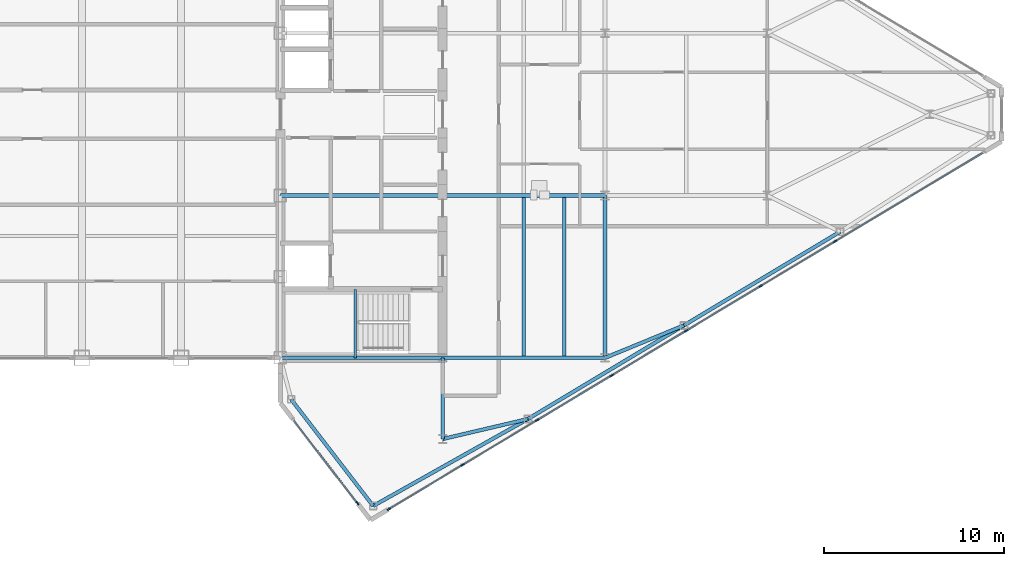
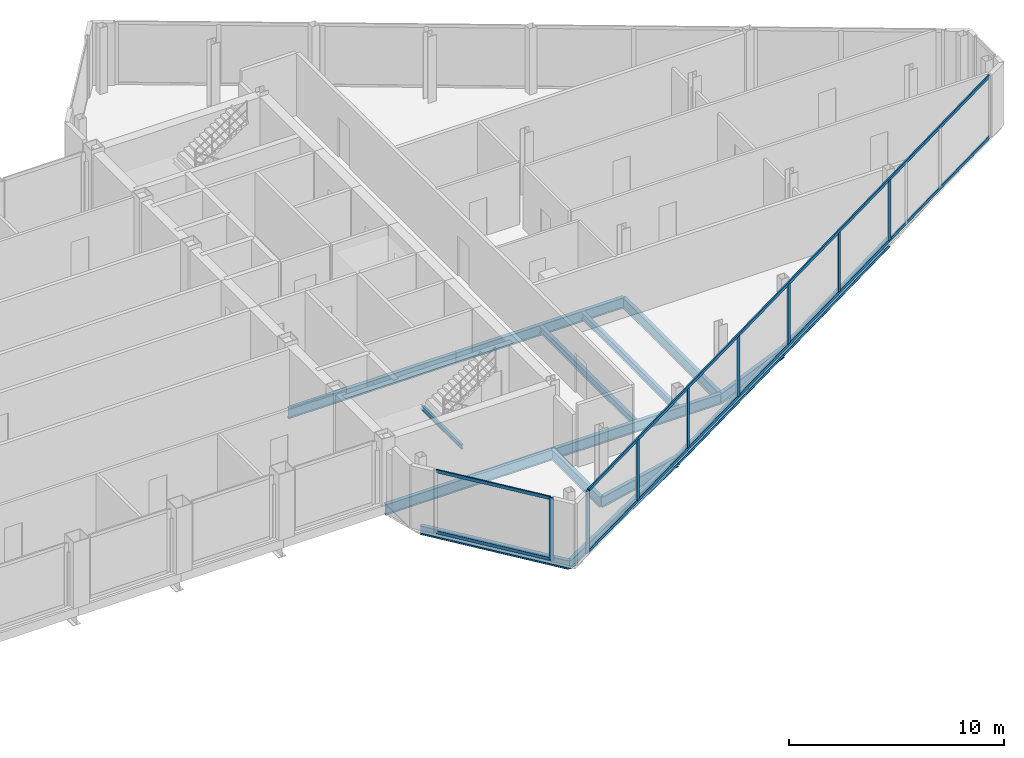
# One storey, part 14 of 29: 15 beams, 12 members, 2 elements without a shape of their own.
"""IFC4 building model written with IfcOpenShell, lengths in metres."""

from ifc_helpers import new_model, si_unit, direction, frame, origin, origin_2d, place, context, subcontext, project, spatial, rectangle, i_section, extrude, source, transform, mapped, material, layer, layer_set, material_profile, profile_set, type_object, type_shapes, element, aggregate, save


model = new_model("IFC4")

# Units and contexts
model_context = context("Model", 3, precision=1e-05, world=origin(), true_north=direction((0.0, 1.0)))
body_context = subcontext(model_context, "Body", "Model", "MODEL_VIEW")
ifc_project = project(units=[si_unit("LENGTHUNIT", "METRE"), si_unit("AREAUNIT", "SQUARE_METRE"), si_unit("VOLUMEUNIT", "CUBIC_METRE"), si_unit("PLANEANGLEUNIT", "RADIAN"), si_unit("MASSUNIT", "GRAM", prefix="KILO")], contexts=[model_context])

# Site, building, storey
site_placement = place(None, origin())
site = spatial("IfcSite", under=ifc_project, at=site_placement, CompositionType="ELEMENT")
building_placement = place(site_placement, origin())
building = spatial("IfcBuilding", under=site, at=building_placement, Name="Seokmaru Belvedere", CompositionType="ELEMENT")
storey_placement = place(building_placement, frame((0.0, 0.0, 243.14990234375)))
storey = spatial("IfcBuildingStorey", under=building, at=storey_placement, Name="L64", CompositionType="ELEMENT", Elevation=243.14990234375)

# Beams
ifc_material_1 = material(Name="Steel SM355 (355 MPa)", Category="steel")
ifc_material_profile_1 = material_profile(ifc_material_1, i_section(OverallWidth=0.199951171875, OverallDepth=0.60009765625, WebThickness=0.010986328125, FlangeThickness=0.01708984375, at=origin_2d()), Name="H-600x200x11x17")
ifc_profile_set_1 = profile_set([ifc_material_profile_1], Name="Steel SM355 (355 MPa)")
beam_type_1 = type_object("IfcBeamType", Name="Primary Floor Girder H-600", PredefinedType="BEAM", material=ifc_profile_set_1)
shared_shape_1 = source(origin(), body_context, "Body", "SweptSolid", [
    extrude(i_section(OverallWidth=0.199951171875, OverallDepth=0.60009765625, WebThickness=0.010986328125, FlangeThickness=0.01708984375, at=origin_2d()), origin(), (0.0, 0.0, 1.0), 9.0),
])
for number, where, z_axis, x_axis, name in (
    (1, (45.5, -13.5, -0.52001953125), (0.0, 1.0, 0.0), (-1.0, 0.0, 0.0), "L64 E Interior Grid Girder 1"),
    (2, (27.5, -13.5, -0.52001953125), (1.0, 0.0, 0.0), (0.0, 1.0, 0.0), "L64 E Core Tie Girder 1"),
    (3, (36.5, -13.5, -0.52001953125), (1.0, 0.0, 0.0), (0.0, 1.0, 0.0), "L64 E Wing Primary Girder 1"),
    (4, (27.5, -4.5, -0.52001953125), (1.0, 0.0, 0.0), (0.0, 1.0, 0.0), "L64 E Core Tie Girder 2"),
    (5, (36.5, -4.5, -0.52001953125), (1.0, 0.0, 0.0), (0.0, 1.0, 0.0), "L64 E Wing Primary Girder 2"),
):
    element("IfcBeam", number, at=place(storey_placement, frame(where, z_axis=z_axis, x_axis=x_axis)), inside=storey, type_object=beam_type_1, Name=name, PredefinedType="BEAM", context=body_context, shape_type="MappedRepresentation", body=[
        mapped(shared_shape_1, transform((0.0, 0.0, 0.0), scale=1.0)),
    ])
ifc_material_profile_2 = material_profile(ifc_material_1, i_section(OverallWidth=0.18505859375, OverallDepth=0.389892578125, WebThickness=0.008056640625, FlangeThickness=0.011962890625, at=origin_2d()), Name="H-390x185x8x12")
ifc_profile_set_2 = profile_set([ifc_material_profile_2], Name="Steel SM355 (355 MPa)")
beam_type_2 = type_object("IfcBeamType", Name="Secondary Floor Joist H-350", PredefinedType="JOIST", material=ifc_profile_set_2)
shared_shape_2 = source(origin(), body_context, "Body", "SweptSolid", [
    extrude(i_section(OverallWidth=0.18505859375, OverallDepth=0.389892578125, WebThickness=0.008056640625, FlangeThickness=0.011962890625, at=origin_2d()), origin(), (0.0, 0.0, 1.0), 8.7900390625),
])
type_shapes(beam_type_2, [shared_shape_2])
for number, where, z_axis, x_axis, name in (
    (6, (43.25, -13.39501953125, -0.414794921875), (0.0, 1.0, 0.0), (-1.0, 0.0, 0.0), "L64 E Wing Inner Secondary Joist 1"),
    (7, (41.0, -13.39501953125, -0.414794921875), (0.0, 1.0, 0.0), (-1.0, 0.0, 0.0), "L64 E Secondary Floor Joist 1"),
):
    element("IfcBeam", number, at=place(storey_placement, frame(where, z_axis=z_axis, x_axis=x_axis)), inside=storey, type_object=beam_type_2, Name=name, PredefinedType="JOIST", context=body_context, shape_type="MappedRepresentation", body=[
        mapped(shared_shape_2, transform((0.0, 0.0, 0.0), scale=1.0)),
    ])
shared_shape_3 = source(origin(), body_context, "Body", "SweptSolid", [
    extrude(i_section(OverallWidth=0.199951171875, OverallDepth=0.60009765625, WebThickness=0.010986328125, FlangeThickness=0.01708984375, at=origin_2d()), origin(), (0.0, 0.0, 1.0), 4.5),
])
beam_1_placement = place(storey_placement, frame((36.5, -18.0, -0.52001953125), z_axis=(0.0, 1.0, 0.0), x_axis=(-1.0, 0.0, 0.0)))
element("IfcBeam", 8, at=beam_1_placement, inside=storey, type_object=beam_type_1, Name="L64 E Core Shoulder Girder S", PredefinedType="BEAM", context=body_context, shape_type="MappedRepresentation", body=[
    mapped(shared_shape_3, transform((0.0, 0.0, 0.0), scale=1.0)),
])
ifc_material_profile_3 = material_profile(ifc_material_1, i_section(OverallWidth=0.199951171875, OverallDepth=0.5, WebThickness=0.010009765625, FlangeThickness=0.01611328125, at=origin_2d()), Name="H-500x200x10x16")
ifc_profile_set_3 = profile_set([ifc_material_profile_3], Name="Steel SM355 (355 MPa)")
beam_type_3 = type_object("IfcBeamType", Name="Perimeter Spandrel Beam H-500", PredefinedType="SPANDREL", material=ifc_profile_set_3)
shared_shape_4 = source(origin(), body_context, "Body", "SweptSolid", [
    extrude(i_section(OverallWidth=0.199951171875, OverallDepth=0.5, WebThickness=0.010009765625, FlangeThickness=0.01611328125, at=origin_2d()), origin(), (0.0, 0.0, 1.0), 9.842041015625),
])
beam_2_placement = place(storey_placement, frame((32.649658203125, -21.71044921875, -0.469970703125), z_axis=(0.871782151818, 0.489893743349, 0.0), x_axis=(-0.489893743349, 0.871782151818, 0.0)))
element("IfcBeam", 9, at=beam_2_placement, inside=storey, type_object=beam_type_3, Name="L64 E Faceted Flank Spandrel S-1", PredefinedType="SPANDREL", context=body_context, shape_type="MappedRepresentation", body=[
    mapped(shared_shape_4, transform((0.0, 0.0, 0.0), scale=1.0)),
])
shared_shape_5 = source(origin(), body_context, "Body", "SweptSolid", [
    extrude(i_section(OverallWidth=0.199951171875, OverallDepth=0.5, WebThickness=0.010009765625, FlangeThickness=0.01611328125, at=origin_2d()), origin(), (0.0, 0.0, 1.0), 10.087646484375),
])
for number, where, z_axis, x_axis, name in (
    (10, (41.229736328125, -16.888916015625, -0.469970703125), (0.857499332045, 0.514485078056, 0.0), (-0.514485078056, 0.857499332045, 0.0), "L64 E Faceted Flank Spandrel S-2"),
    (11, (49.8798828125, -11.698974609375, -0.469970703125), (0.857488654804, 0.514502873542, 0.0), (-0.514502873542, 0.857488654804, 0.0), "L64 E Faceted Flank Spandrel S-3"),
):
    element("IfcBeam", number, at=place(storey_placement, frame(where, z_axis=z_axis, x_axis=x_axis)), inside=storey, type_object=beam_type_3, Name=name, PredefinedType="SPANDREL", context=body_context, shape_type="MappedRepresentation", body=[
        mapped(shared_shape_5, transform((0.0, 0.0, 0.0), scale=1.0)),
    ])
shared_shape_6 = source(origin(), body_context, "Body", "SweptSolid", [
    extrude(i_section(OverallWidth=0.199951171875, OverallDepth=0.5, WebThickness=0.010009765625, FlangeThickness=0.01611328125, at=origin_2d()), origin(), (0.0, 0.0, 1.0), 7.4619140625),
])
type_shapes(beam_type_3, [shared_shape_4, shared_shape_5, shared_shape_6])
beam_3_placement = place(storey_placement, frame((32.649658203125, -21.71044921875, -0.469970703125), z_axis=(-0.609702854945, 0.792630070507, 0.0), x_axis=(-0.792630070507, -0.609702854945, 0.0)))
element("IfcBeam", 12, at=beam_3_placement, inside=storey, type_object=beam_type_3, Name="L64 E Shoulder Chamfer Spandrel S", PredefinedType="SPANDREL", context=body_context, shape_type="MappedRepresentation", body=[
    mapped(shared_shape_6, transform((0.0, 0.0, 0.0), scale=1.0)),
])
shared_shape_7 = source(origin(), body_context, "Body", "SweptSolid", [
    extrude(i_section(OverallWidth=0.199951171875, OverallDepth=0.60009765625, WebThickness=0.010986328125, FlangeThickness=0.01708984375, at=origin_2d()), origin(), (0.0, 0.0, 1.0), 4.8583984375),
])
beam_4_placement = place(storey_placement, frame((41.229736328125, -16.888916015625, -0.52001953125), z_axis=(-0.97349948295, -0.228689214211, 0.0), x_axis=(0.228689214211, -0.97349948295, 0.0)))
element("IfcBeam", 13, at=beam_4_placement, inside=storey, type_object=beam_type_1, Name="L64 E Flank Radial Floor Girder S-1", PredefinedType="BEAM", context=body_context, shape_type="MappedRepresentation", body=[
    mapped(shared_shape_7, transform((0.0, 0.0, 0.0), scale=1.0)),
])
shared_shape_8 = source(origin(), body_context, "Body", "SweptSolid", [
    extrude(i_section(OverallWidth=0.199951171875, OverallDepth=0.60009765625, WebThickness=0.010986328125, FlangeThickness=0.01708984375, at=origin_2d()), origin(), (0.0, 0.0, 1.0), 4.73583984375),
])
type_shapes(beam_type_1, [shared_shape_1, shared_shape_3, shared_shape_7, shared_shape_8])
beam_5_placement = place(storey_placement, frame((49.8798828125, -11.698974609375, -0.52001953125), z_axis=(-0.924860562953, -0.380306375301, 0.0), x_axis=(0.380306375301, -0.924860562953, 0.0)))
element("IfcBeam", 14, at=beam_5_placement, inside=storey, type_object=beam_type_1, Name="L64 E Flank Radial Floor Girder S-2", PredefinedType="BEAM", context=body_context, shape_type="MappedRepresentation", body=[
    mapped(shared_shape_8, transform((0.0, 0.0, 0.0), scale=1.0)),
])

# Curtain wall, members
ifc_material_2 = material(Name="Bronze Triple Insulating Glass", Category="glass")
ifc_layer = layer(ifc_material_2, 0.219970703125)
ifc_layer_set = layer_set([ifc_layer], Name="Bronze Triple Insulating Glass")
curtain_wall_type = type_object("IfcCurtainWallType", Name="Sky-Gate Bridge Panorama Curtain Wall System CW-6", PredefinedType="NOTDEFINED", material=ifc_layer_set)
curtain_wall_1_placement = place(storey_placement, origin())
curtain_wall_1 = element("IfcCurtainWall", 15, at=curtain_wall_1_placement, inside=storey, type_object=curtain_wall_type, Name="L64 Curtain Wall EF6", PredefinedType="NOTDEFINED")
ifc_material_3 = material(Name="Anodised Bronze Aluminium", Category="aluminium")
ifc_material_profile_4 = material_profile(ifc_material_3, rectangle(XDim=0.074951171875, YDim=0.179931640625, at=origin_2d()), Name="CW-T-75x180")
ifc_profile_set_4 = profile_set([ifc_material_profile_4], Name="Anodised Bronze Aluminium")
member_type_1 = type_object("IfcMemberType", Name="Bronze Unitised Transom 75x180", PredefinedType="USERDEFINED", material=ifc_profile_set_4)
shared_shape_9 = source(origin(), body_context, "Body", "SweptSolid", [
    extrude(rectangle(XDim=0.074951171875, YDim=0.179931640625, at=origin_2d()), origin(), (0.0, 0.0, 1.0), 5.74072265625),
])
member_1_placement = place(storey_placement, frame((28.25, -16.974853515625, 0.03759765625), z_axis=(0.609686097287, -0.792642960465, 0.0), x_axis=(0.792642960465, 0.609686097287, 0.0)))
member_1 = element("IfcMember", 16, at=member_1_placement, type_object=member_type_1, Name="CW:L64:EF6 Continuous Transom 1", ObjectType="TRANSOM", PredefinedType="USERDEFINED", context=body_context, shape_type="MappedRepresentation", body=[
    mapped(shared_shape_9, transform((0.0, 0.0, 0.0), scale=1.0)),
])
member_2_placement = place(storey_placement, frame((28.25, -16.974853515625, 3.49267578125), z_axis=(0.609686097287, -0.792642960465, 0.0), x_axis=(0.792642960465, 0.609686097287, 0.0)))
member_2 = element("IfcMember", 17, at=member_2_placement, type_object=member_type_1, Name="CW:L64:EF6 Continuous Transom 2", ObjectType="TRANSOM", PredefinedType="USERDEFINED", context=body_context, shape_type="MappedRepresentation", body=[
    mapped(shared_shape_9, transform((0.0, 0.0, 0.0), scale=1.0)),
])

curtain_wall_2_placement = place(storey_placement, origin())
curtain_wall_2 = element("IfcCurtainWall", 18, at=curtain_wall_2_placement, inside=storey, type_object=curtain_wall_type, Name="L64 Curtain Wall EF1", PredefinedType="NOTDEFINED")
shared_shape_10 = source(origin(), body_context, "Body", "SweptSolid", [
    extrude(rectangle(XDim=0.074951171875, YDim=0.179931640625, at=origin_2d()), origin(), (0.0, 0.0, 1.0), 38.356689453125),
])
type_shapes(member_type_1, [shared_shape_9, shared_shape_10])
member_3_placement = place(storey_placement, frame((33.5546875, -21.8671875, 0.03759765625), z_axis=(0.857492925713, 0.514495755428, 0.0), x_axis=(-0.514495755428, 0.857492925713, 0.0)))
member_3 = element("IfcMember", 19, at=member_3_placement, type_object=member_type_1, Name="CW:L64:EF1 Continuous Transom 1", ObjectType="TRANSOM", PredefinedType="USERDEFINED", context=body_context, shape_type="MappedRepresentation", body=[
    mapped(shared_shape_10, transform((0.0, 0.0, 0.0), scale=1.0)),
])
member_4_placement = place(storey_placement, frame((33.5546875, -21.8671875, 3.49267578125), z_axis=(0.857492925713, 0.514495755428, 0.0), x_axis=(-0.514495755428, 0.857492925713, 0.0)))
member_4 = element("IfcMember", 20, at=member_4_placement, type_object=member_type_1, Name="CW:L64:EF1 Continuous Transom 2", ObjectType="TRANSOM", PredefinedType="USERDEFINED", context=body_context, shape_type="MappedRepresentation", body=[
    mapped(shared_shape_10, transform((0.0, 0.0, 0.0), scale=1.0)),
])
ifc_material_profile_5 = material_profile(ifc_material_3, rectangle(XDim=0.080078125, YDim=0.219970703125, at=origin_2d()), Name="CW-M-80x220")
ifc_profile_set_5 = profile_set([ifc_material_profile_5], Name="Anodised Bronze Aluminium")
member_type_2 = type_object("IfcMemberType", Name="Bronze Unitised Mullion 80x220", PredefinedType="MULLION", material=ifc_profile_set_5)
shared_shape_11 = source(origin(), body_context, "Body", "SweptSolid", [
    extrude(rectangle(XDim=0.080078125, YDim=0.219970703125, at=origin_2d()), origin(), (0.0, 0.0, 1.0), 3.530029296875),
])
member_5_placement = place(storey_placement, frame((33.5205078125, -21.8876953125, 0.0), z_axis=(0.0, 0.0, 1.0), x_axis=(-0.514494909364, 0.85749343335, 0.0)))
member_5 = element("IfcMember", 21, at=member_5_placement, type_object=member_type_2, Name="CW:L64:EF1 Mullion 1", PredefinedType="MULLION", context=body_context, shape_type="MappedRepresentation", body=[
    mapped(shared_shape_11, transform((0.0, 0.0, 0.0), scale=1.0)),
])

# Member
member_6_placement = place(storey_placement, frame((31.7744140625, -21.556884765625, 0.0), z_axis=(0.0, 0.0, 1.0), x_axis=(0.792631353244, 0.609701187349, 0.0)))
member_6 = element("IfcMember", 22, at=member_6_placement, type_object=member_type_2, Name="CW:L64:EF6 Mullion 2", PredefinedType="MULLION", context=body_context, shape_type="MappedRepresentation", body=[
    mapped(shared_shape_11, transform((0.0, 0.0, 0.0), scale=1.0)),
])

aggregate(curtain_wall_1, [member_6, member_1, member_2])

shared_shape_12 = source(origin(), body_context, "Body", "SweptSolid", [
    extrude(rectangle(XDim=0.080078125, YDim=0.219970703125, at=origin_2d()), origin(), (0.0, 0.0, 1.0), 3.3798828125),
])
type_shapes(member_type_2, [shared_shape_11, shared_shape_12])
member_7_placement = place(storey_placement, frame((37.614501953125, -19.43115234375, 0.0751953125), z_axis=(0.0, 0.0, 1.0), x_axis=(-0.514494909364, 0.85749343335, 0.0)))
member_7 = element("IfcMember", 23, at=member_7_placement, type_object=member_type_2, Name="CW:L64:EF1 Mullion 2", PredefinedType="MULLION", context=body_context, shape_type="MappedRepresentation", body=[
    mapped(shared_shape_12, transform((0.0, 0.0, 0.0), scale=1.0)),
])

member_8_placement = place(storey_placement, frame((41.7431640625, -16.9541015625, 0.0751953125), z_axis=(0.0, 0.0, 1.0), x_axis=(-0.514494909364, 0.85749343335, 0.0)))
member_8 = element("IfcMember", 24, at=member_8_placement, type_object=member_type_2, Name="CW:L64:EF1 Mullion 3", PredefinedType="MULLION", context=body_context, shape_type="MappedRepresentation", body=[
    mapped(shared_shape_12, transform((0.0, 0.0, 0.0), scale=1.0)),
])

member_9_placement = place(storey_placement, frame((45.87158203125, -14.47705078125, 0.0751953125), z_axis=(0.0, 0.0, 1.0), x_axis=(-0.514494909364, 0.85749343335, 0.0)))
member_9 = element("IfcMember", 25, at=member_9_placement, type_object=member_type_2, Name="CW:L64:EF1 Mullion 4", PredefinedType="MULLION", context=body_context, shape_type="MappedRepresentation", body=[
    mapped(shared_shape_12, transform((0.0, 0.0, 0.0), scale=1.0)),
])

member_10_placement = place(storey_placement, frame((50.0, -12.0, 0.0751953125), z_axis=(0.0, 0.0, 1.0), x_axis=(-0.514494909364, 0.85749343335, 0.0)))
member_10 = element("IfcMember", 26, at=member_10_placement, type_object=member_type_2, Name="CW:L64:EF1 Mullion 5", PredefinedType="MULLION", context=body_context, shape_type="MappedRepresentation", body=[
    mapped(shared_shape_12, transform((0.0, 0.0, 0.0), scale=1.0)),
])

member_11_placement = place(storey_placement, frame((54.12841796875, -9.52294921875, 0.0751953125), z_axis=(0.0, 0.0, 1.0), x_axis=(-0.514494909364, 0.85749343335, 0.0)))
member_11 = element("IfcMember", 27, at=member_11_placement, type_object=member_type_2, Name="CW:L64:EF1 Mullion 6", PredefinedType="MULLION", context=body_context, shape_type="MappedRepresentation", body=[
    mapped(shared_shape_12, transform((0.0, 0.0, 0.0), scale=1.0)),
])

member_12_placement = place(storey_placement, frame((58.257080078125, -7.0458984375, 0.0751953125), z_axis=(0.0, 0.0, 1.0), x_axis=(-0.514494909364, 0.85749343335, 0.0)))
member_12 = element("IfcMember", 28, at=member_12_placement, type_object=member_type_2, Name="CW:L64:EF1 Mullion 7", PredefinedType="MULLION", context=body_context, shape_type="MappedRepresentation", body=[
    mapped(shared_shape_12, transform((0.0, 0.0, 0.0), scale=1.0)),
])

aggregate(curtain_wall_2, [member_5, member_7, member_8, member_9, member_10, member_11, member_12, member_3, member_4])

# Beam
ifc_material_profile_6 = material_profile(ifc_material_1, i_section(OverallWidth=0.125, OverallDepth=0.25, WebThickness=0.006103515625, FlangeThickness=0.009033203125, at=origin_2d()), Name="H-250x125x6x9")
ifc_profile_set_6 = profile_set([ifc_material_profile_6], Name="Steel SM355 (355 MPa)")
beam_type_4 = type_object("IfcBeamType", Name="Stair Mid-Landing Support Beam H-250", PredefinedType="JOIST", material=ifc_profile_set_6)
shared_shape_13 = source(origin(), body_context, "Body", "SweptSolid", [
    extrude(i_section(OverallWidth=0.125, OverallDepth=0.25, WebThickness=0.006103515625, FlangeThickness=0.009033203125, at=origin_2d()), origin(), (0.0, 0.0, 1.0), 3.800048828125),
])
type_shapes(beam_type_4, [shared_shape_13])
beam_6_placement = place(storey_placement, frame((31.64990234375, -13.5, 1.550048828125), z_axis=(0.0, 1.0, 0.0), x_axis=(-1.0, 0.0, 0.0)))
element("IfcBeam", 29, at=beam_6_placement, inside=storey, type_object=beam_type_4, Name="L64 Stair ST-E1 Mid-Landing Support Beam 1", PredefinedType="JOIST", context=body_context, shape_type="MappedRepresentation", body=[
    mapped(shared_shape_13, transform((0.0, 0.0, 0.0), scale=1.0)),
])

save(model, "model.ifc")
